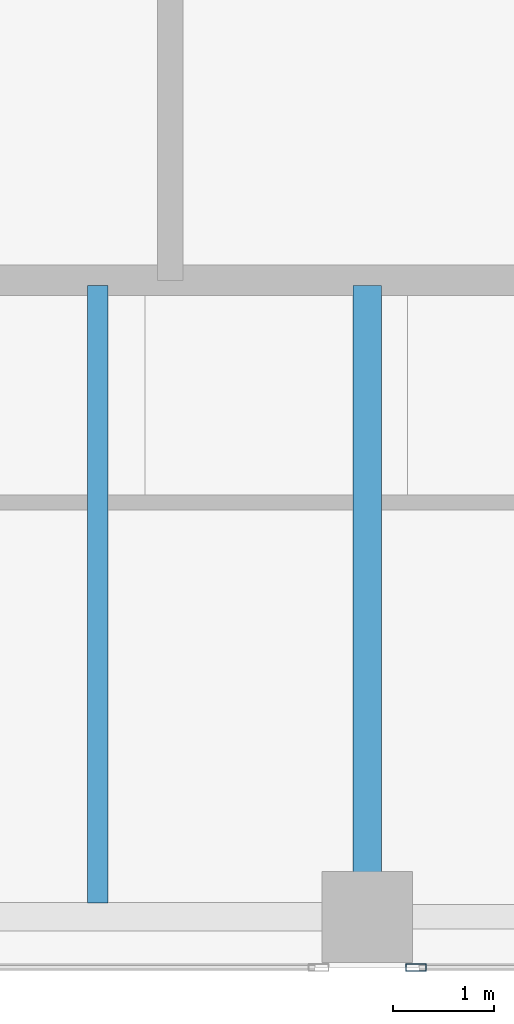
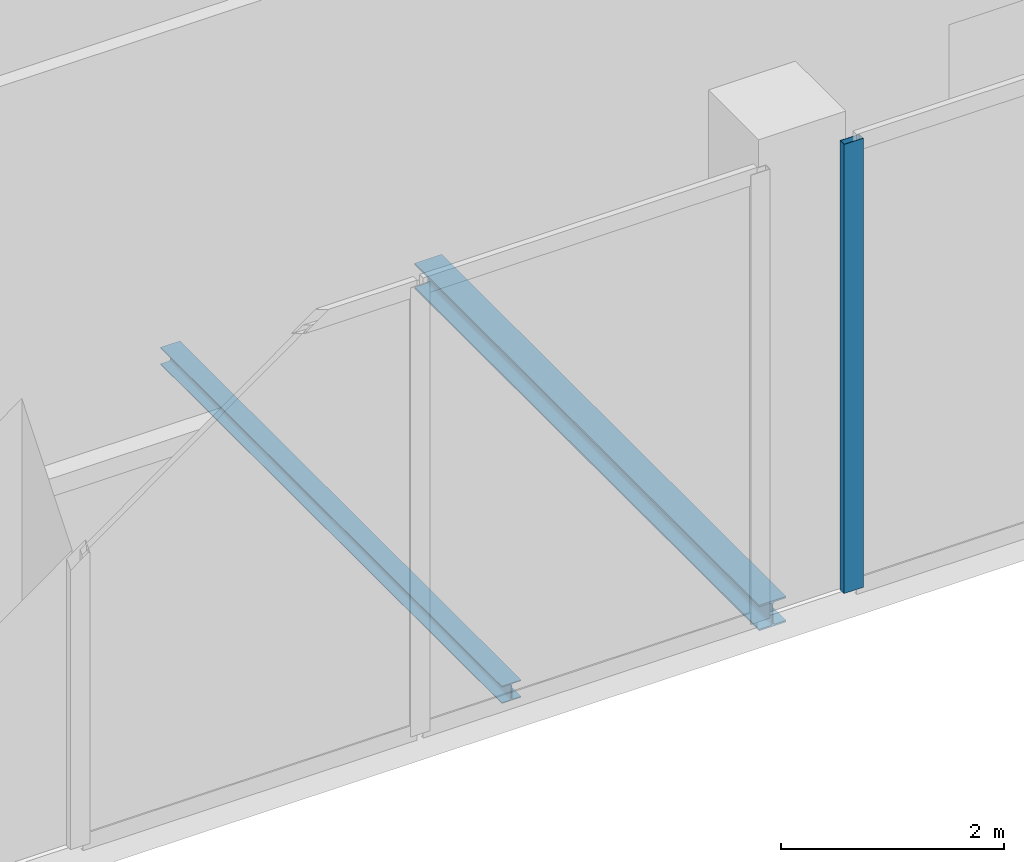
# One storey, part 3 of 10: 2 beams, 1 member, 1 element without a shape of its own.
"""IFC4 building model written with IfcOpenShell, lengths in metres."""

import ifcopenshell
import ifcopenshell.guid

model = None  # the IFC model being written
_history = None  # IfcOwnerHistory: only IFC2X3 demands one
_inside = {}  # id of a spatial element -> (the spatial element, [elements in it])
_under = {}  # id of a project, library or spatial element -> (it, [spatial elements below it])
_declared = {}  # id of a project -> (the project, [libraries it declares])
_typed = {}  # id of a type object -> (the type object, [elements of that type])
_made_of = {}  # id of a material, layer set ... -> (it, [elements and type objects made of it])


def new_model(schema):
    """Start an empty IFC model of exactly this schema.

    Asked for "IFC4X3", IfcOpenShell would pick the latest addendum, in which some entities
    have other attributes; the version numbers below select the first issue.
    IFC2X3 requires an IfcOwnerHistory on every rooted entity: one is made here for all.
    """
    global model, _history
    if schema == "IFC4X3":
        model = ifcopenshell.file(schema_version=(4, 3, 0, 0))
    else:
        model = ifcopenshell.file(schema=schema)
    _inside.clear()
    _under.clear()
    _declared.clear()
    _typed.clear()
    _made_of.clear()
    _history = None
    if model.schema == "IFC2X3":
        org = make("IfcOrganization", Name="unknown")
        user = make(
            "IfcPersonAndOrganization",
            ThePerson=make("IfcPerson", FamilyName="unknown"),
            TheOrganization=org,
        )
        app = make(
            "IfcApplication",
            ApplicationDeveloper=org,
            Version="unknown",
            ApplicationFullName="unknown",
            ApplicationIdentifier="unknown",
        )
        _history = make(
            "IfcOwnerHistory",
            OwningUser=user,
            OwningApplication=app,
            ChangeAction="ADDED",
            CreationDate=0,
        )
    return model


def make(cls, **values):
    """One entity of the class cls with the attributes given. An attribute that is None is left unset."""
    return model.create_entity(
        cls, **{name: value for name, value in values.items() if value is not None}
    )


def rooted(cls, **values):
    """An entity with a GlobalId (a new one), such as an element, a storey or a relation."""
    return make(cls, GlobalId=ifcopenshell.guid.new(), OwnerHistory=_history, **values)


def si_unit(unit_type, name, prefix=None):
    """IfcSIUnit, for example si_unit("LENGTHUNIT", "METRE", prefix="MILLI")."""
    return make("IfcSIUnit", UnitType=unit_type, Prefix=prefix, Name=name)


def assignment(units):
    """IfcUnitAssignment: the units of a project."""
    return None if units is None else make("IfcUnitAssignment", Units=units)


def point(xyz):
    """IfcCartesianPoint."""
    return None if xyz is None else make("IfcCartesianPoint", Coordinates=xyz)


def direction(xyz):
    """IfcDirection."""
    return None if xyz is None else make("IfcDirection", DirectionRatios=xyz)


def frame(location, z_axis=None, x_axis=None):
    """IfcAxis2Placement3D, a coordinate frame: its origin and axes. An axis left out is left unset."""
    return make(
        "IfcAxis2Placement3D",
        Location=point(location),
        Axis=direction(z_axis),
        RefDirection=direction(x_axis),
    )


def frame_2d(location, x_axis=None):
    """IfcAxis2Placement2D, a coordinate frame in the plane: its origin and x axis."""
    return make(
        "IfcAxis2Placement2D", Location=point(location), RefDirection=direction(x_axis)
    )


def origin():
    """The frame at (0, 0, 0) with its axes left unset."""
    return frame((0.0, 0.0, 0.0))


def origin_2d():
    """The frame at (0, 0) in the plane with its x axis left unset."""
    return frame_2d((0.0, 0.0))


def place(relative_to, where):
    """IfcLocalPlacement: puts the frame where relative to a parent placement (None: the world)."""
    return make(
        "IfcLocalPlacement", PlacementRelTo=relative_to, RelativePlacement=where
    )


def context(
    kind, dimensions, precision=None, world=None, true_north=None, identifier=None
):
    """IfcGeometricRepresentationContext, for example the 3D "Model" context."""
    return make(
        "IfcGeometricRepresentationContext",
        ContextIdentifier=identifier,
        ContextType=kind,
        CoordinateSpaceDimension=dimensions,
        Precision=precision,
        WorldCoordinateSystem=world,
        TrueNorth=true_north,
    )


def subcontext(parent, identifier, kind, view, scale=None):
    """IfcGeometricRepresentationSubContext, for example "Body" below "Model"."""
    return make(
        "IfcGeometricRepresentationSubContext",
        ContextIdentifier=identifier,
        ContextType=kind,
        ParentContext=parent,
        TargetScale=scale,
        TargetView=view,
    )


def project(units=None, contexts=None):
    """IfcProject with its units and contexts."""
    return rooted(
        "IfcProject",
        Name="project",
        RepresentationContexts=contexts,
        UnitsInContext=assignment(units),
    )


def spatial(cls, under=None, at=None, **own):
    """A site, building, storey or space (cls), placed at a placement, below another one or the project."""
    s = rooted(cls, ObjectPlacement=at, **own)
    if under is not None:
        _under.setdefault(under.id(), (under, []))[1].append(s)
    return s


def profile(cls, at=None, kind="AREA", **sizes):
    """A parametric profile (cls). Its sizes go by their IFC names, for example OverallWidth=200.0."""
    return make(cls, ProfileType=kind, Position=at, **sizes)


def hollow_rectangle(**sizes):
    """IfcRectangleHollowProfileDef."""
    return profile("IfcRectangleHollowProfileDef", **sizes)


def i_section(**sizes):
    """IfcIShapeProfileDef."""
    return profile("IfcIShapeProfileDef", **sizes)


def extrude(swept, where, along, depth):
    """IfcExtrudedAreaSolid: the profile swept, set in the frame where, extruded along a direction by depth."""
    return make(
        "IfcExtrudedAreaSolid",
        SweptArea=swept,
        Position=where,
        ExtrudedDirection=direction(along),
        Depth=depth,
    )


def shape(context_of_items, identifier, shape_type, items):
    """IfcShapeRepresentation: the items that make up one representation, for example the "Body"."""
    return make(
        "IfcShapeRepresentation",
        ContextOfItems=context_of_items,
        RepresentationIdentifier=identifier,
        RepresentationType=shape_type,
        Items=items,
    )


def material(Name=None, Category=None):
    """IfcMaterial."""
    return make("IfcMaterial", Name=Name, Category=Category)


def layer(
    of_material, thickness, ventilated=None, Name=None, Category=None, Priority=None
):
    """IfcMaterialLayer: one layer of a wall or slab, of a material (None: an air gap)."""
    return make(
        "IfcMaterialLayer",
        Material=of_material,
        LayerThickness=thickness,
        IsVentilated=ventilated,
        Name=Name,
        Category=Category,
        Priority=Priority,
    )


def layer_set(layers, Name=None):
    """IfcMaterialLayerSet."""
    return make("IfcMaterialLayerSet", MaterialLayers=layers, LayerSetName=Name)


def material_profile(
    of_material, cross_section, Name=None, Category=None, Priority=None
):
    """IfcMaterialProfile: a cross section and its material."""
    return make(
        "IfcMaterialProfile",
        Name=Name,
        Material=of_material,
        Profile=cross_section,
        Priority=Priority,
        Category=Category,
    )


def profile_set(profiles, Name=None, composite=None):
    """IfcMaterialProfileSet."""
    return make(
        "IfcMaterialProfileSet",
        Name=Name,
        MaterialProfiles=profiles,
        CompositeProfile=composite,
    )


def made_of(thing, what):
    """Note that an element or type object is made of a material, layer set ...; save() writes the relation."""
    if what is not None:
        _made_of.setdefault(what.id(), (what, []))[1].append(thing)
    return thing


def type_object(cls, material=None, **own):
    """A type object (cls), such as IfcWallType, which elements share."""
    return made_of(rooted(cls, **own), material)


def element(
    cls,
    number,
    at=None,
    inside=None,
    cuts=None,
    type_object=None,
    material=None,
    context=None,
    identifier="Body",
    shape_type=None,
    held_by="IfcProductDefinitionShape",
    body=None,
    shapes=None,
    **own,
):
    """One element of the class cls, such as IfcWall. Its Tag is "e" and its number.

    at: its placement. inside: the storey or other place that contains it. cuts: it is an
    opening in that element (IfcRelVoidsElement). A single representation is given by context,
    identifier, shape_type and body (its items); several are given by shapes. held_by: the class
    of the entity that holds the representations. save() writes the other relations.
    """
    e = rooted(cls, Tag="e%d" % number, ObjectPlacement=at, **own)
    if body is not None:
        shapes = [shape(context, identifier, shape_type, body)]
    if shapes is not None:
        e.Representation = make(held_by, Representations=shapes)
    if inside is not None:
        _inside.setdefault(inside.id(), (inside, []))[1].append(e)
    if cuts is not None:
        rooted(
            "IfcRelVoidsElement", RelatingBuildingElement=cuts, RelatedOpeningElement=e
        )
    if type_object is not None:
        _typed.setdefault(type_object.id(), (type_object, []))[1].append(e)
    return made_of(e, material)


def aggregate(whole, parts):
    """IfcRelAggregates: a whole, such as a stair, and the parts it consists of."""
    return rooted("IfcRelAggregates", RelatingObject=whole, RelatedObjects=parts)


def save(model, path):
    """Write the relations noted so far, then the file.

    IfcRelAggregates (storeys below a building ...), IfcRelContainedInSpatialStructure (elements
    in a storey), IfcRelDefinesByType, IfcRelAssociatesMaterial and IfcRelDeclares: one each for
    every whole, place, type object, material and project.
    """
    for whole, parts in _under.values():
        aggregate(whole, parts)
    for where, things in _inside.values():
        rooted(
            "IfcRelContainedInSpatialStructure",
            RelatedElements=things,
            RelatingStructure=where,
        )
    for kind, things in _typed.values():
        rooted("IfcRelDefinesByType", RelatedObjects=things, RelatingType=kind)
    for what, things in _made_of.values():
        rooted("IfcRelAssociatesMaterial", RelatedObjects=things, RelatingMaterial=what)
    for by, libraries in _declared.values():
        rooted("IfcRelDeclares", RelatingContext=by, RelatedDefinitions=libraries)
    model.write(path)


model = new_model("IFC4")

# Units and contexts
model_context = context("Model", 3, precision=1e-05, world=origin(), true_north=direction((0.0, 1.0)))
body_context = subcontext(model_context, "Body", "Model", "MODEL_VIEW")
ifc_project = project(units=[si_unit("LENGTHUNIT", "METRE"), si_unit("AREAUNIT", "SQUARE_METRE"), si_unit("VOLUMEUNIT", "CUBIC_METRE"), si_unit("PLANEANGLEUNIT", "RADIAN"), si_unit("MASSUNIT", "GRAM", prefix="KILO")], contexts=[model_context])

# Site, building, storey
site_placement = place(None, origin())
site = spatial("IfcSite", under=ifc_project, at=site_placement, CompositionType="ELEMENT")
building_placement = place(site_placement, origin())
building = spatial("IfcBuilding", under=site, at=building_placement, Name="Catumbela Crestline Tower", CompositionType="ELEMENT")
storey_placement = place(building_placement, frame((0.0, 0.0, 295.8)))
storey = spatial("IfcBuildingStorey", under=building, at=storey_placement, Name="L76", CompositionType="ELEMENT", Elevation=295.8)

# Beams
ifc_material_1 = material(Name="Structural steel S355J2", Category="steel")
ifc_material_profile_1 = material_profile(ifc_material_1, i_section(OverallWidth=0.28, OverallDepth=0.28, WebThickness=0.0105, FlangeThickness=0.018, FilletRadius=0.024, at=origin_2d()), Name="HEB 280")
ifc_profile_set_1 = profile_set([ifc_material_profile_1], Name="Structural steel S355J2")
beam_type_1 = type_object("IfcBeamType", Name="BG-HEB280", PredefinedType="BEAM", material=ifc_profile_set_1)
beam_1_placement = place(storey_placement, frame((24.0, 24.58, -0.46), z_axis=(0.0, 1.0, 0.0), x_axis=(-1.0, 0.0, 0.0)))
element("IfcBeam", 1, at=beam_1_placement, inside=storey, type_object=beam_type_1, Name="L76 Beam BM-L76-SNS05", PredefinedType="BEAM", context=body_context, shape_type="SweptSolid", body=[
    extrude(i_section(OverallWidth=0.28, OverallDepth=0.28, WebThickness=0.0105, FlangeThickness=0.018, FilletRadius=0.024, at=origin_2d()), origin(), (0.0, 0.0, 1.0), 6.17),
])
ifc_material_profile_2 = material_profile(ifc_material_1, i_section(OverallWidth=0.2, OverallDepth=0.19, WebThickness=0.0065, FlangeThickness=0.01, FilletRadius=0.018, at=origin_2d()), Name="HEA 200")
ifc_profile_set_2 = profile_set([ifc_material_profile_2], Name="Structural steel S355J2")
beam_type_2 = type_object("IfcBeamType", Name="BJ-HEA200", PredefinedType="JOIST", material=ifc_profile_set_2)
beam_2_placement = place(storey_placement, frame((21.333, 24.637, -0.415), z_axis=(0.0, 1.0, 0.0), x_axis=(-1.0, 0.0, 0.0)))
element("IfcBeam", 2, at=beam_2_placement, inside=storey, type_object=beam_type_2, Name="L76 Joist JS-L76-SP09", PredefinedType="JOIST", context=body_context, shape_type="SweptSolid", body=[
    extrude(i_section(OverallWidth=0.2, OverallDepth=0.19, WebThickness=0.0065, FlangeThickness=0.01, FilletRadius=0.018, at=origin_2d()), origin(), (0.0, 0.0, 1.0), 6.113),
])

# Curtain wall, member
ifc_material_2 = material(Name="Aluminium alloy AW-6060-T66", Category="aluminium")
ifc_layer = layer(ifc_material_2, 0.18, Name="Aluminium alloy AW-6060-T66")
ifc_layer_set = layer_set([ifc_layer], Name="Aluminium alloy AW-6060-T66")
curtain_wall_type = type_object("IfcCurtainWallType", Name="CWS-OBS", PredefinedType="USERDEFINED", material=ifc_layer_set)
curtain_wall_placement = place(storey_placement, origin())
curtain_wall = element("IfcCurtainWall", 3, at=curtain_wall_placement, inside=storey, type_object=curtain_wall_type, Name="L76 Stick Curtain Wall CW-L76-E0S3", ObjectType="STICK", PredefinedType="USERDEFINED")
ifc_material_profile_3 = material_profile(ifc_material_2, hollow_rectangle(XDim=0.075, YDim=0.2, WallThickness=0.005, at=origin_2d()), Name="ALU 200x75x5")
ifc_profile_set_3 = profile_set([ifc_material_profile_3], Name="Aluminium alloy AW-6060-T66")
member_type = type_object("IfcMemberType", Name="MUL-200X75", PredefinedType="MULLION", material=ifc_profile_set_3)
member_placement = place(storey_placement, frame((24.4825, 24.0, 0.0), z_axis=(0.0, 0.0, 1.0), x_axis=(0.0, 1.0, 0.0)))
member = element("IfcMember", 4, at=member_placement, type_object=member_type, Name="CWS-OBS mullion 1", PredefinedType="MULLION", context=body_context, shape_type="SweptSolid", body=[
    extrude(hollow_rectangle(XDim=0.075, YDim=0.2, WallThickness=0.005, at=origin_2d()), origin(), (0.0, 0.0, 1.0), 4.91),
])
aggregate(curtain_wall, [member])

save(model, "model.ifc")
